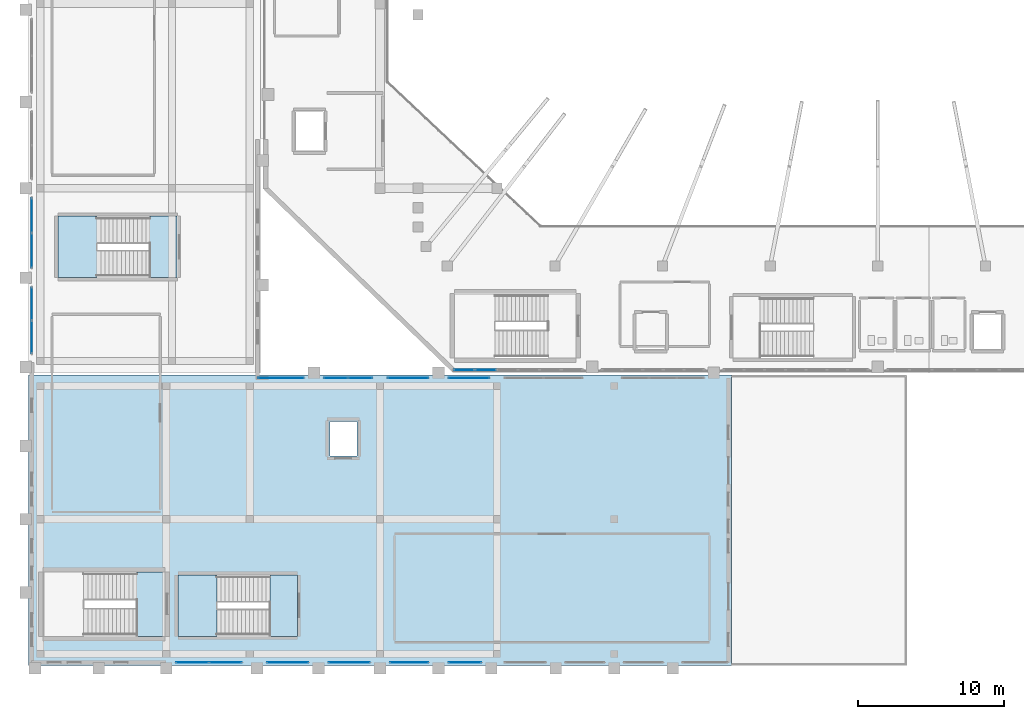
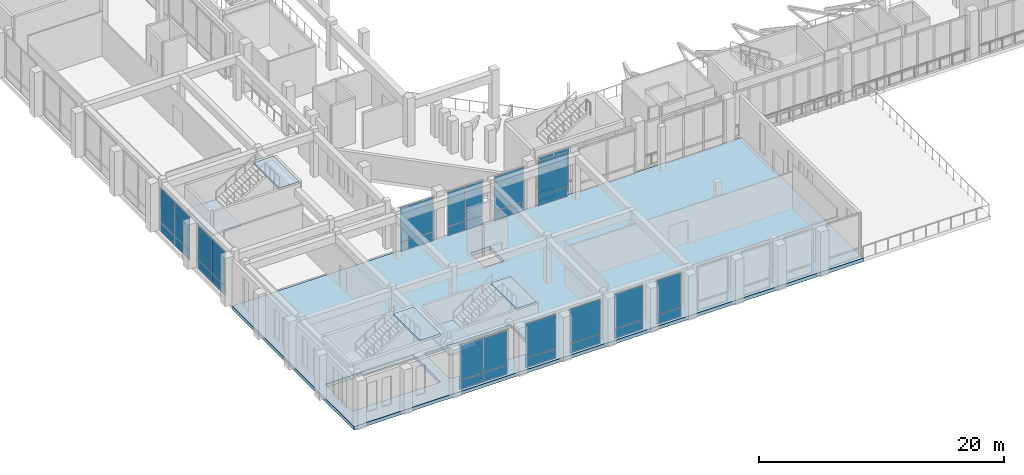
# One storey, part 41 of 79: 34 plates, 6 slabs, 15 elements without a shape of their own.
"""IFC4 building model written with IfcOpenShell, lengths in metres."""

from ifc_helpers import new_model, si_unit, derived_unit, direction, frame, origin, origin_2d, place, context, subcontext, project, spatial, polyline, rectangle, outline, extrude, material, layer, layer_set, type_object, element, aggregate, save


model = new_model("IFC4")

# Units and contexts
model_context = context("Model", 3, precision=1e-05, world=origin(), true_north=direction((0.0, 1.0)))
body_context = subcontext(model_context, "Body", "Model", "MODEL_VIEW")
ifc_project = project(units=[si_unit("LENGTHUNIT", "METRE"), si_unit("AREAUNIT", "SQUARE_METRE"), si_unit("VOLUMEUNIT", "CUBIC_METRE"), si_unit("PLANEANGLEUNIT", "RADIAN"), si_unit("MASSUNIT", "GRAM", prefix="KILO"), derived_unit("THERMALTRANSMITTANCEUNIT", [(si_unit("MASSUNIT", "GRAM", prefix="KILO"), 1), (si_unit("TIMEUNIT", "SECOND"), -3), (si_unit("THERMODYNAMICTEMPERATUREUNIT", "KELVIN"), -1)])], contexts=[model_context])

# Site, building, storey
site_placement = place(None, origin())
site = spatial("IfcSite", under=ifc_project, at=site_placement, CompositionType="ELEMENT")
building_placement = place(site_placement, origin())
building = spatial("IfcBuilding", under=site, at=building_placement, Name="Valcora Ridge Arena", CompositionType="ELEMENT")
storey_placement = place(building_placement, frame((0.0, 0.0, 16.199951171875)))
storey = spatial("IfcBuildingStorey", under=building, at=storey_placement, Name="L03", CompositionType="ELEMENT", Elevation=16.199951171875)

# Stair, slabs
ifc_material_1 = material(Name="Concrete C40/50", Category="concrete")
stair_type_1 = type_object("IfcStairType", Name="TY-STAIR-ES05-48", PredefinedType="HALF_TURN_STAIR", material=ifc_material_1)
stair_1_placement = place(storey_placement, origin())
stair_1 = element("IfcStair", 1, at=stair_1_placement, inside=storey, type_object=stair_type_1, Name="ES05-48 STR-ES-0020", PredefinedType="HALF_TURN_STAIR")
ifc_layer_1 = layer(ifc_material_1, 0.199951171875, Name="Concrete C40/50")
ifc_layer_set_1 = layer_set([ifc_layer_1], Name="Concrete C40/50")
slab_type_1 = type_object("IfcSlabType", Name="TY-LAND-ES05-48", PredefinedType="LANDING", material=ifc_layer_set_1)
slab_1_placement = place(storey_placement, frame((0.0, 0.0, 2.199951171875)))
slab_1 = element("IfcSlab", 2, at=slab_1_placement, type_object=slab_type_1, Name="ES05-48 landing 1", PredefinedType="LANDING", context=body_context, shape_type="SweptSolid", body=[
    extrude(outline(polyline([(10.201904296875, 2.001953125), (12.8798828125, 2.001953125), (12.8798828125, 6.197998046875), (10.201904296875, 6.197998046875), (10.201904296875, 2.001953125)])), origin(), (0.0, 0.0, 1.0), 0.2001953125),
])
slab_2_placement = place(storey_placement, frame((0.0, 0.0, 4.60009765625)))
slab_2 = element("IfcSlab", 3, at=slab_2_placement, type_object=slab_type_1, Name="ES05-48 landing 2", PredefinedType="LANDING", context=body_context, shape_type="SweptSolid", body=[
    extrude(outline(polyline([(16.47998046875, 2.001953125), (18.35791015625, 2.001953125), (18.35791015625, 6.197998046875), (16.47998046875, 6.197998046875), (16.47998046875, 2.001953125)])), origin(), (0.0, 0.0, 1.0), 0.199951171875),
])
aggregate(stair_1, [slab_1, slab_2])

stair_type_2 = type_object("IfcStairType", Name="TY-STAIR-ES07-48", PredefinedType="HALF_TURN_STAIR", material=ifc_material_1)
stair_2_placement = place(storey_placement, origin())
stair_2 = element("IfcStair", 4, at=stair_2_placement, inside=storey, type_object=stair_type_2, Name="ES07-48 STR-ES-0026", PredefinedType="HALF_TURN_STAIR")
ifc_layer_2 = layer(ifc_material_1, 0.199951171875, Name="Concrete C40/50")
ifc_layer_set_2 = layer_set([ifc_layer_2], Name="Concrete C40/50")
slab_type_2 = type_object("IfcSlabType", Name="TY-LAND-ES07-48", PredefinedType="LANDING", material=ifc_layer_set_2)
slab_3_placement = place(storey_placement, frame((0.0, 0.0, 2.199951171875)))
slab_3 = element("IfcSlab", 5, at=slab_3_placement, type_object=slab_type_2, Name="ES07-48 landing 1", PredefinedType="LANDING", context=body_context, shape_type="SweptSolid", body=[
    extrude(outline(polyline([(2.001953125, 26.501953125), (4.679931640625, 26.501953125), (4.679931640625, 30.697998046875), (2.001953125, 30.697998046875), (2.001953125, 26.501953125)])), origin(), (0.0, 0.0, 1.0), 0.2001953125),
])
slab_4_placement = place(storey_placement, frame((0.0, 0.0, 4.60009765625)))
slab_4 = element("IfcSlab", 6, at=slab_4_placement, type_object=slab_type_2, Name="ES07-48 landing 2", PredefinedType="LANDING", context=body_context, shape_type="SweptSolid", body=[
    extrude(outline(polyline([(8.280029296875, 26.501953125), (10.157958984375, 26.501953125), (10.157958984375, 30.697998046875), (8.280029296875, 30.697998046875), (8.280029296875, 26.501953125)])), origin(), (0.0, 0.0, 1.0), 0.199951171875),
])
aggregate(stair_2, [slab_3, slab_4])

# Stair, slab
stair_type_3 = type_object("IfcStairType", Name="TY-STAIR-ST07-48", PredefinedType="HALF_TURN_STAIR", material=ifc_material_1)
stair_3_placement = place(storey_placement, origin())
stair_3 = element("IfcStair", 7, at=stair_3_placement, inside=storey, type_object=stair_type_3, Name="ST07-48 STR-CR-0034", PredefinedType="HALF_TURN_STAIR")
ifc_layer_3 = layer(ifc_material_1, 0.199951171875, Name="Concrete C40/50")
ifc_layer_set_3 = layer_set([ifc_layer_3], Name="Concrete C40/50")
slab_type_3 = type_object("IfcSlabType", Name="TY-LAND-ST07-48", PredefinedType="LANDING", material=ifc_layer_set_3)
slab_5_placement = place(storey_placement, frame((0.0, 0.0, 4.60009765625)))
slab_5 = element("IfcSlab", 8, at=slab_5_placement, type_object=slab_type_3, Name="ST07-48 landing 2", PredefinedType="LANDING", context=body_context, shape_type="SweptSolid", body=[
    extrude(outline(polyline([(7.389892578125, 2.001953125), (9.318115234375, 2.001953125), (9.318115234375, 6.39794921875), (7.389892578125, 6.39794921875), (7.389892578125, 2.001953125)])), origin(), (0.0, 0.0, 1.0), 0.199951171875),
])
aggregate(stair_3, [slab_5])

# Curtain wall, plates
ifc_material_2 = material(Name="Anodised dark bronze architectural aluminium 6063-T6", Category="aluminium")
ifc_layer_4 = layer(ifc_material_2, 0.179931640625, Name="Anodised dark bronze architectural aluminium 6063-T6")
ifc_layer_set_4 = layer_set([ifc_layer_4], Name="Anodised dark bronze architectural aluminium 6063-T6")
curtain_wall_type_1 = type_object("IfcCurtainWallType", Name="TY-CURTAINWALL-CW-V1-GOTH-089X44", PredefinedType="NOTDEFINED", material=ifc_layer_set_4)
curtain_wall_1_placement = place(storey_placement, origin())
curtain_wall_1 = element("IfcCurtainWall", 9, at=curtain_wall_1_placement, inside=storey, type_object=curtain_wall_type_1, Name="CW-V1-GOTH-089X44 CW-0136", PredefinedType="NOTDEFINED")
ifc_material_3 = material(Name="Low-iron solar-control double glazing SHGC 0.28", Category="glass")
ifc_layer_5 = layer(ifc_material_3, 0.031982421875, Name="Low-iron solar-control double glazing SHGC 0.28")
ifc_layer_set_5 = layer_set([ifc_layer_5], Name="Low-iron solar-control double glazing SHGC 0.28")
plate_type_1 = type_object("IfcPlateType", Name="TY-PLT-CWP-1387X0860", PredefinedType="CURTAIN_PANEL", material=ifc_layer_set_5)
plate_1_placement = place(storey_placement, frame((29.75341796875, 20.199951171875, 0.06005859375), z_axis=(0.0, 0.0, 1.0), x_axis=(1.0, 0.0, 0.0)))
plate_1 = element("IfcPlate", 10, at=plate_1_placement, type_object=plate_type_1, Name="CW-0136/P00-00", PredefinedType="CURTAIN_PANEL", context=body_context, shape_type="SweptSolid", body=[
    extrude(rectangle(XDim=1.386962890625, YDim=0.031982421875, at=origin_2d()), origin(), (0.0, 0.0, 1.0), 0.860107421875),
])
ifc_layer_6 = layer(ifc_material_3, 0.031982421875, Name="Low-iron solar-control double glazing SHGC 0.28")
ifc_layer_set_6 = layer_set([ifc_layer_6], Name="Low-iron solar-control double glazing SHGC 0.28")
plate_type_2 = type_object("IfcPlateType", Name="TY-PLT-CWP-1387X3400", PredefinedType="CURTAIN_PANEL", material=ifc_layer_set_6)
plate_2_placement = place(storey_placement, frame((29.75341796875, 20.199951171875, 0.97998046875), z_axis=(0.0, 0.0, 1.0), x_axis=(1.0, 0.0, 0.0)))
plate_2 = element("IfcPlate", 11, at=plate_2_placement, type_object=plate_type_2, Name="CW-0136/P00-01", PredefinedType="CURTAIN_PANEL", context=body_context, shape_type="SweptSolid", body=[
    extrude(rectangle(XDim=1.386962890625, YDim=0.031982421875, at=origin_2d()), origin(), (0.0, 0.0, 1.0), 3.39990234375),
])
ifc_layer_7 = layer(ifc_material_3, 0.031982421875, Name="Low-iron solar-control double glazing SHGC 0.28")
ifc_layer_set_7 = layer_set([ifc_layer_7], Name="Low-iron solar-control double glazing SHGC 0.28")
plate_type_3 = type_object("IfcPlateType", Name="TY-PLT-CWP-1416X0860", PredefinedType="CURTAIN_PANEL", material=ifc_layer_set_7)
plate_3_placement = place(storey_placement, frame((31.215087890625, 20.199951171875, 0.06005859375), z_axis=(0.0, 0.0, 1.0), x_axis=(1.0, 0.0, 0.0)))
plate_3 = element("IfcPlate", 12, at=plate_3_placement, type_object=plate_type_3, Name="CW-0136/P01-00", PredefinedType="CURTAIN_PANEL", context=body_context, shape_type="SweptSolid", body=[
    extrude(rectangle(XDim=1.416015625, YDim=0.031982421875, at=origin_2d()), origin(), (0.0, 0.0, 1.0), 0.860107421875),
])
ifc_layer_8 = layer(ifc_material_3, 0.031982421875, Name="Low-iron solar-control double glazing SHGC 0.28")
ifc_layer_set_8 = layer_set([ifc_layer_8], Name="Low-iron solar-control double glazing SHGC 0.28")
plate_type_4 = type_object("IfcPlateType", Name="TY-PLT-CWP-1416X3400", PredefinedType="CURTAIN_PANEL", material=ifc_layer_set_8)
plate_4_placement = place(storey_placement, frame((31.215087890625, 20.199951171875, 0.97998046875), z_axis=(0.0, 0.0, 1.0), x_axis=(1.0, 0.0, 0.0)))
plate_4 = element("IfcPlate", 13, at=plate_4_placement, type_object=plate_type_4, Name="CW-0136/P01-01", PredefinedType="CURTAIN_PANEL", context=body_context, shape_type="SweptSolid", body=[
    extrude(rectangle(XDim=1.416015625, YDim=0.031982421875, at=origin_2d()), origin(), (0.0, 0.0, 1.0), 3.39990234375),
])
aggregate(curtain_wall_1, [plate_1, plate_2, plate_3, plate_4])

ifc_layer_9 = layer(ifc_material_2, 0.14990234375, Name="Anodised dark bronze architectural aluminium 6063-T6")
ifc_layer_set_9 = layer_set([ifc_layer_9], Name="Anodised dark bronze architectural aluminium 6063-T6")
curtain_wall_type_2 = type_object("IfcCurtainWallType", Name="TY-CURTAINWALL-CW-V4-CLUB-034X44", PredefinedType="NOTDEFINED", material=ifc_layer_set_9)
curtain_wall_2_placement = place(storey_placement, origin())
curtain_wall_2 = element("IfcCurtainWall", 14, at=curtain_wall_2_placement, inside=storey, type_object=curtain_wall_type_2, Name="CW-V4-CLUB-034X44 CW-0280", PredefinedType="NOTDEFINED")
ifc_layer_10 = layer(ifc_material_3, 0.028076171875, Name="Low-iron solar-control double glazing SHGC 0.28")
ifc_layer_set_10 = layer_set([ifc_layer_10], Name="Low-iron solar-control double glazing SHGC 0.28")
plate_type_5 = type_object("IfcPlateType", Name="TY-PLT-CWP-1610X0875", PredefinedType="CURTAIN_PANEL", material=ifc_layer_set_10)
plate_5_placement = place(storey_placement, frame((20.9951171875, 19.64990234375, 0.050048828125), z_axis=(0.0, 0.0, 1.0), x_axis=(1.0, 0.0, 0.0)))
plate_5 = element("IfcPlate", 15, at=plate_5_placement, type_object=plate_type_5, Name="CW-0280/P00-00", PredefinedType="CURTAIN_PANEL", context=body_context, shape_type="SweptSolid", body=[
    extrude(rectangle(XDim=1.610107421875, YDim=0.028076171875, at=origin_2d()), origin(), (0.0, 0.0, 1.0), 0.875),
])
plate_6_placement = place(storey_placement, frame((22.655029296875, 19.64990234375, 0.050048828125), z_axis=(0.0, 0.0, 1.0), x_axis=(1.0, 0.0, 0.0)))
plate_6 = element("IfcPlate", 16, at=plate_6_placement, type_object=plate_type_5, Name="CW-0280/P01-00", PredefinedType="CURTAIN_PANEL", context=body_context, shape_type="SweptSolid", body=[
    extrude(rectangle(XDim=1.610107421875, YDim=0.028076171875, at=origin_2d()), origin(), (0.0, 0.0, 1.0), 0.875),
])
ifc_layer_11 = layer(ifc_material_3, 0.028076171875, Name="Low-iron solar-control double glazing SHGC 0.28")
ifc_layer_set_11 = layer_set([ifc_layer_11], Name="Low-iron solar-control double glazing SHGC 0.28")
plate_type_6 = type_object("IfcPlateType", Name="TY-PLT-CWP-1610X3415", PredefinedType="CURTAIN_PANEL", material=ifc_layer_set_11)
plate_7_placement = place(storey_placement, frame((20.9951171875, 19.64990234375, 0.97509765625), z_axis=(0.0, 0.0, 1.0), x_axis=(1.0, 0.0, 0.0)))
plate_7 = element("IfcPlate", 17, at=plate_7_placement, type_object=plate_type_6, Name="CW-0280/P00-01", PredefinedType="CURTAIN_PANEL", context=body_context, shape_type="SweptSolid", body=[
    extrude(rectangle(XDim=1.610107421875, YDim=0.028076171875, at=origin_2d()), origin(), (0.0, 0.0, 1.0), 3.4150390625),
])
plate_8_placement = place(storey_placement, frame((22.655029296875, 19.64990234375, 0.97509765625), z_axis=(0.0, 0.0, 1.0), x_axis=(1.0, 0.0, 0.0)))
plate_8 = element("IfcPlate", 18, at=plate_8_placement, type_object=plate_type_6, Name="CW-0280/P01-01", PredefinedType="CURTAIN_PANEL", context=body_context, shape_type="SweptSolid", body=[
    extrude(rectangle(XDim=1.610107421875, YDim=0.028076171875, at=origin_2d()), origin(), (0.0, 0.0, 1.0), 3.4150390625),
])
aggregate(curtain_wall_2, [plate_5, plate_7, plate_6, plate_8])

ifc_layer_12 = layer(ifc_material_2, 0.14990234375, Name="Anodised dark bronze architectural aluminium 6063-T6")
ifc_layer_set_12 = layer_set([ifc_layer_12], Name="Anodised dark bronze architectural aluminium 6063-T6")
curtain_wall_type_3 = type_object("IfcCurtainWallType", Name="TY-CURTAINWALL-CW-V4-CLUB-046X44", PredefinedType="NOTDEFINED", material=ifc_layer_set_12)
curtain_wall_3_placement = place(storey_placement, origin())
curtain_wall_3 = element("IfcCurtainWall", 19, at=curtain_wall_3_placement, inside=storey, type_object=curtain_wall_type_3, Name="CW-V4-CLUB-046X44 CW-0270", PredefinedType="NOTDEFINED")
ifc_layer_13 = layer(ifc_material_3, 0.028076171875, Name="Low-iron solar-control double glazing SHGC 0.28")
ifc_layer_set_13 = layer_set([ifc_layer_13], Name="Low-iron solar-control double glazing SHGC 0.28")
plate_type_7 = type_object("IfcPlateType", Name="TY-PLT-CWP-2210X0875", PredefinedType="CURTAIN_PANEL", material=ifc_layer_set_13)
plate_9_placement = place(storey_placement, frame((11.195068359375, 0.219970703125, 0.050048828125), z_axis=(0.0, 0.0, 1.0), x_axis=(1.0, 0.0, 0.0)))
plate_9 = element("IfcPlate", 20, at=plate_9_placement, type_object=plate_type_7, Name="CW-0270/P00-00", PredefinedType="CURTAIN_PANEL", context=body_context, shape_type="SweptSolid", body=[
    extrude(rectangle(XDim=2.2099609375, YDim=0.028076171875, at=origin_2d()), origin(), (0.0, 0.0, 1.0), 0.875),
])
plate_10_placement = place(storey_placement, frame((13.455078125, 0.219970703125, 0.050048828125), z_axis=(0.0, 0.0, 1.0), x_axis=(1.0, 0.0, 0.0)))
plate_10 = element("IfcPlate", 21, at=plate_10_placement, type_object=plate_type_7, Name="CW-0270/P01-00", PredefinedType="CURTAIN_PANEL", context=body_context, shape_type="SweptSolid", body=[
    extrude(rectangle(XDim=2.2099609375, YDim=0.028076171875, at=origin_2d()), origin(), (0.0, 0.0, 1.0), 0.875),
])

curtain_wall_4_placement = place(storey_placement, origin())
curtain_wall_4 = element("IfcCurtainWall", 22, at=curtain_wall_4_placement, inside=storey, type_object=curtain_wall_type_3, Name="CW-V4-CLUB-046X44 CW-0285", PredefinedType="NOTDEFINED")
plate_11_placement = place(storey_placement, frame((0.219970703125, 22.445068359375, 0.050048828125), z_axis=(0.0, 0.0, 1.0), x_axis=(0.0, 1.0, 0.0)))
plate_11 = element("IfcPlate", 23, at=plate_11_placement, type_object=plate_type_7, Name="CW-0285/P00-00", PredefinedType="CURTAIN_PANEL", context=body_context, shape_type="SweptSolid", body=[
    extrude(rectangle(XDim=2.2099609375, YDim=0.028076171875, at=origin_2d()), origin(), (0.0, 0.0, 1.0), 0.875),
])
plate_12_placement = place(storey_placement, frame((0.219970703125, 24.705078125, 0.050048828125), z_axis=(0.0, 0.0, 1.0), x_axis=(0.0, 1.0, 0.0)))
plate_12 = element("IfcPlate", 24, at=plate_12_placement, type_object=plate_type_7, Name="CW-0285/P01-00", PredefinedType="CURTAIN_PANEL", context=body_context, shape_type="SweptSolid", body=[
    extrude(rectangle(XDim=2.2099609375, YDim=0.028076171875, at=origin_2d()), origin(), (0.0, 0.0, 1.0), 0.875),
])

# Plate
ifc_layer_14 = layer(ifc_material_3, 0.028076171875, Name="Low-iron solar-control double glazing SHGC 0.28")
ifc_layer_set_14 = layer_set([ifc_layer_14], Name="Low-iron solar-control double glazing SHGC 0.28")
plate_type_8 = type_object("IfcPlateType", Name="TY-PLT-CWP-2210X3415", PredefinedType="CURTAIN_PANEL", material=ifc_layer_set_14)
plate_13_placement = place(storey_placement, frame((11.195068359375, 0.219970703125, 0.97509765625), z_axis=(0.0, 0.0, 1.0), x_axis=(1.0, 0.0, 0.0)))
plate_13 = element("IfcPlate", 25, at=plate_13_placement, type_object=plate_type_8, Name="CW-0270/P00-01", PredefinedType="CURTAIN_PANEL", context=body_context, shape_type="SweptSolid", body=[
    extrude(rectangle(XDim=2.2099609375, YDim=0.028076171875, at=origin_2d()), origin(), (0.0, 0.0, 1.0), 3.4150390625),
])

plate_14_placement = place(storey_placement, frame((13.455078125, 0.219970703125, 0.97509765625), z_axis=(0.0, 0.0, 1.0), x_axis=(1.0, 0.0, 0.0)))
plate_14 = element("IfcPlate", 26, at=plate_14_placement, type_object=plate_type_8, Name="CW-0270/P01-01", PredefinedType="CURTAIN_PANEL", context=body_context, shape_type="SweptSolid", body=[
    extrude(rectangle(XDim=2.2099609375, YDim=0.028076171875, at=origin_2d()), origin(), (0.0, 0.0, 1.0), 3.4150390625),
])

aggregate(curtain_wall_3, [plate_9, plate_13, plate_10, plate_14])

plate_15_placement = place(storey_placement, frame((0.219970703125, 22.445068359375, 0.97509765625), z_axis=(0.0, 0.0, 1.0), x_axis=(0.0, 1.0, 0.0)))
plate_15 = element("IfcPlate", 27, at=plate_15_placement, type_object=plate_type_8, Name="CW-0285/P00-01", PredefinedType="CURTAIN_PANEL", context=body_context, shape_type="SweptSolid", body=[
    extrude(rectangle(XDim=2.2099609375, YDim=0.028076171875, at=origin_2d()), origin(), (0.0, 0.0, 1.0), 3.4150390625),
])

plate_16_placement = place(storey_placement, frame((0.219970703125, 24.705078125, 0.97509765625), z_axis=(0.0, 0.0, 1.0), x_axis=(0.0, 1.0, 0.0)))
plate_16 = element("IfcPlate", 28, at=plate_16_placement, type_object=plate_type_8, Name="CW-0285/P01-01", PredefinedType="CURTAIN_PANEL", context=body_context, shape_type="SweptSolid", body=[
    extrude(rectangle(XDim=2.2099609375, YDim=0.028076171875, at=origin_2d()), origin(), (0.0, 0.0, 1.0), 3.4150390625),
])

aggregate(curtain_wall_4, [plate_11, plate_15, plate_12, plate_16])

# Curtain wall, plates
ifc_layer_15 = layer(ifc_material_2, 0.14990234375, Name="Anodised dark bronze architectural aluminium 6063-T6")
ifc_layer_set_15 = layer_set([ifc_layer_15], Name="Anodised dark bronze architectural aluminium 6063-T6")
curtain_wall_type_4 = type_object("IfcCurtainWallType", Name="TY-CURTAINWALL-CW-V4-CLUB-023X44", PredefinedType="NOTDEFINED", material=ifc_layer_set_15)
curtain_wall_5_placement = place(storey_placement, origin())
curtain_wall_5 = element("IfcCurtainWall", 29, at=curtain_wall_5_placement, inside=storey, type_object=curtain_wall_type_4, Name="CW-V4-CLUB-023X44 CW-0274", PredefinedType="NOTDEFINED")
ifc_layer_16 = layer(ifc_material_3, 0.028076171875, Name="Low-iron solar-control double glazing SHGC 0.28")
ifc_layer_set_16 = layer_set([ifc_layer_16], Name="Low-iron solar-control double glazing SHGC 0.28")
plate_type_9 = type_object("IfcPlateType", Name="TY-PLT-CWP-2220X0875", PredefinedType="CURTAIN_PANEL", material=ifc_layer_set_16)
plate_17_placement = place(storey_placement, frame((29.800048828125, 0.219970703125, 0.050048828125), z_axis=(0.0, 0.0, 1.0), x_axis=(1.0, 0.0, 0.0)))
plate_17 = element("IfcPlate", 30, at=plate_17_placement, type_object=plate_type_9, Name="CW-0274/P00-00", PredefinedType="CURTAIN_PANEL", context=body_context, shape_type="SweptSolid", body=[
    extrude(rectangle(XDim=2.219970703125, YDim=0.028076171875, at=origin_2d()), origin(), (0.0, 0.0, 1.0), 0.875),
])
ifc_layer_17 = layer(ifc_material_3, 0.028076171875, Name="Low-iron solar-control double glazing SHGC 0.28")
ifc_layer_set_17 = layer_set([ifc_layer_17], Name="Low-iron solar-control double glazing SHGC 0.28")
plate_type_10 = type_object("IfcPlateType", Name="TY-PLT-CWP-2220X3415", PredefinedType="CURTAIN_PANEL", material=ifc_layer_set_17)
plate_18_placement = place(storey_placement, frame((29.800048828125, 0.219970703125, 0.97509765625), z_axis=(0.0, 0.0, 1.0), x_axis=(1.0, 0.0, 0.0)))
plate_18 = element("IfcPlate", 31, at=plate_18_placement, type_object=plate_type_10, Name="CW-0274/P00-01", PredefinedType="CURTAIN_PANEL", context=body_context, shape_type="SweptSolid", body=[
    extrude(rectangle(XDim=2.219970703125, YDim=0.028076171875, at=origin_2d()), origin(), (0.0, 0.0, 1.0), 3.4150390625),
])
aggregate(curtain_wall_5, [plate_17, plate_18])

ifc_layer_18 = layer(ifc_material_2, 0.14990234375, Name="Anodised dark bronze architectural aluminium 6063-T6")
ifc_layer_set_18 = layer_set([ifc_layer_18], Name="Anodised dark bronze architectural aluminium 6063-T6")
curtain_wall_type_5 = type_object("IfcCurtainWallType", Name="TY-CURTAINWALL-CW-V4-CLUB-048X44", PredefinedType="NOTDEFINED", material=ifc_layer_set_18)
curtain_wall_6_placement = place(storey_placement, origin())
curtain_wall_6 = element("IfcCurtainWall", 32, at=curtain_wall_6_placement, inside=storey, type_object=curtain_wall_type_5, Name="CW-V4-CLUB-048X44 CW-0286", PredefinedType="NOTDEFINED")
ifc_layer_19 = layer(ifc_material_3, 0.028076171875, Name="Low-iron solar-control double glazing SHGC 0.28")
ifc_layer_set_19 = layer_set([ifc_layer_19], Name="Low-iron solar-control double glazing SHGC 0.28")
plate_type_11 = type_object("IfcPlateType", Name="TY-PLT-CWP-2335X0875", PredefinedType="CURTAIN_PANEL", material=ifc_layer_set_19)
plate_19_placement = place(storey_placement, frame((0.219970703125, 28.357421875, 0.050048828125), z_axis=(0.0, 0.0, 1.0), x_axis=(0.0, 1.0, 0.0)))
plate_19 = element("IfcPlate", 33, at=plate_19_placement, type_object=plate_type_11, Name="CW-0286/P00-00", PredefinedType="CURTAIN_PANEL", context=body_context, shape_type="SweptSolid", body=[
    extrude(rectangle(XDim=2.3349609375, YDim=0.028076171875, at=origin_2d()), origin(), (0.0, 0.0, 1.0), 0.875),
])
plate_20_placement = place(storey_placement, frame((0.219970703125, 30.742431640625, 0.050048828125), z_axis=(0.0, 0.0, 1.0), x_axis=(0.0, 1.0, 0.0)))
plate_20 = element("IfcPlate", 34, at=plate_20_placement, type_object=plate_type_11, Name="CW-0286/P01-00", PredefinedType="CURTAIN_PANEL", context=body_context, shape_type="SweptSolid", body=[
    extrude(rectangle(XDim=2.3349609375, YDim=0.028076171875, at=origin_2d()), origin(), (0.0, 0.0, 1.0), 0.875),
])
ifc_layer_20 = layer(ifc_material_3, 0.028076171875, Name="Low-iron solar-control double glazing SHGC 0.28")
ifc_layer_set_20 = layer_set([ifc_layer_20], Name="Low-iron solar-control double glazing SHGC 0.28")
plate_type_12 = type_object("IfcPlateType", Name="TY-PLT-CWP-2335X3415", PredefinedType="CURTAIN_PANEL", material=ifc_layer_set_20)
plate_21_placement = place(storey_placement, frame((0.219970703125, 28.357421875, 0.97509765625), z_axis=(0.0, 0.0, 1.0), x_axis=(0.0, 1.0, 0.0)))
plate_21 = element("IfcPlate", 35, at=plate_21_placement, type_object=plate_type_12, Name="CW-0286/P00-01", PredefinedType="CURTAIN_PANEL", context=body_context, shape_type="SweptSolid", body=[
    extrude(rectangle(XDim=2.3349609375, YDim=0.028076171875, at=origin_2d()), origin(), (0.0, 0.0, 1.0), 3.4150390625),
])
plate_22_placement = place(storey_placement, frame((0.219970703125, 30.742431640625, 0.97509765625), z_axis=(0.0, 0.0, 1.0), x_axis=(0.0, 1.0, 0.0)))
plate_22 = element("IfcPlate", 36, at=plate_22_placement, type_object=plate_type_12, Name="CW-0286/P01-01", PredefinedType="CURTAIN_PANEL", context=body_context, shape_type="SweptSolid", body=[
    extrude(rectangle(XDim=2.3349609375, YDim=0.028076171875, at=origin_2d()), origin(), (0.0, 0.0, 1.0), 3.4150390625),
])
aggregate(curtain_wall_6, [plate_19, plate_21, plate_20, plate_22])

ifc_layer_21 = layer(ifc_material_2, 0.14990234375, Name="Anodised dark bronze architectural aluminium 6063-T6")
ifc_layer_set_21 = layer_set([ifc_layer_21], Name="Anodised dark bronze architectural aluminium 6063-T6")
curtain_wall_type_6 = type_object("IfcCurtainWallType", Name="TY-CURTAINWALL-CW-V4-CLUB-027X44", PredefinedType="NOTDEFINED", material=ifc_layer_set_21)
curtain_wall_7_placement = place(storey_placement, origin())
curtain_wall_7 = element("IfcCurtainWall", 37, at=curtain_wall_7_placement, inside=storey, type_object=curtain_wall_type_6, Name="CW-V4-CLUB-027X44 CW-0273", PredefinedType="NOTDEFINED")
ifc_layer_22 = layer(ifc_material_3, 0.028076171875, Name="Low-iron solar-control double glazing SHGC 0.28")
ifc_layer_set_22 = layer_set([ifc_layer_22], Name="Low-iron solar-control double glazing SHGC 0.28")
plate_type_13 = type_object("IfcPlateType", Name="TY-PLT-CWP-2620X0875", PredefinedType="CURTAIN_PANEL", material=ifc_layer_set_22)
plate_23_placement = place(storey_placement, frame((26.0, 0.219970703125, 0.050048828125), z_axis=(0.0, 0.0, 1.0), x_axis=(1.0, 0.0, 0.0)))
plate_23 = element("IfcPlate", 38, at=plate_23_placement, type_object=plate_type_13, Name="CW-0273/P00-00", PredefinedType="CURTAIN_PANEL", context=body_context, shape_type="SweptSolid", body=[
    extrude(rectangle(XDim=2.6201171875, YDim=0.028076171875, at=origin_2d()), origin(), (0.0, 0.0, 1.0), 0.875),
])
ifc_layer_23 = layer(ifc_material_3, 0.028076171875, Name="Low-iron solar-control double glazing SHGC 0.28")
ifc_layer_set_23 = layer_set([ifc_layer_23], Name="Low-iron solar-control double glazing SHGC 0.28")
plate_type_14 = type_object("IfcPlateType", Name="TY-PLT-CWP-2620X3415", PredefinedType="CURTAIN_PANEL", material=ifc_layer_set_23)
plate_24_placement = place(storey_placement, frame((26.0, 0.219970703125, 0.97509765625), z_axis=(0.0, 0.0, 1.0), x_axis=(1.0, 0.0, 0.0)))
plate_24 = element("IfcPlate", 39, at=plate_24_placement, type_object=plate_type_14, Name="CW-0273/P00-01", PredefinedType="CURTAIN_PANEL", context=body_context, shape_type="SweptSolid", body=[
    extrude(rectangle(XDim=2.6201171875, YDim=0.028076171875, at=origin_2d()), origin(), (0.0, 0.0, 1.0), 3.4150390625),
])
aggregate(curtain_wall_7, [plate_23, plate_24])

# Curtain wall, plate
ifc_layer_24 = layer(ifc_material_2, 0.14990234375, Name="Anodised dark bronze architectural aluminium 6063-T6")
ifc_layer_set_24 = layer_set([ifc_layer_24], Name="Anodised dark bronze architectural aluminium 6063-T6")
curtain_wall_type_7 = type_object("IfcCurtainWallType", Name="TY-CURTAINWALL-CW-V4-CLUB-029X44", PredefinedType="NOTDEFINED", material=ifc_layer_set_24)
curtain_wall_8_placement = place(storey_placement, origin())
curtain_wall_8 = element("IfcCurtainWall", 40, at=curtain_wall_8_placement, inside=storey, type_object=curtain_wall_type_7, Name="CW-V4-CLUB-029X44 CW-0281", PredefinedType="NOTDEFINED")
ifc_layer_25 = layer(ifc_material_3, 0.028076171875, Name="Low-iron solar-control double glazing SHGC 0.28")
ifc_layer_set_25 = layer_set([ifc_layer_25], Name="Low-iron solar-control double glazing SHGC 0.28")
plate_type_15 = type_object("IfcPlateType", Name="TY-PLT-CWP-2770X0875", PredefinedType="CURTAIN_PANEL", material=ifc_layer_set_25)
plate_25_placement = place(storey_placement, frame((25.925048828125, 19.64990234375, 0.050048828125), z_axis=(0.0, 0.0, 1.0), x_axis=(1.0, 0.0, 0.0)))
plate_25 = element("IfcPlate", 41, at=plate_25_placement, type_object=plate_type_15, Name="CW-0281/P00-00", PredefinedType="CURTAIN_PANEL", context=body_context, shape_type="SweptSolid", body=[
    extrude(rectangle(XDim=2.77001953125, YDim=0.028076171875, at=origin_2d()), origin(), (0.0, 0.0, 1.0), 0.875),
])

curtain_wall_9_placement = place(storey_placement, origin())
curtain_wall_9 = element("IfcCurtainWall", 42, at=curtain_wall_9_placement, inside=storey, type_object=curtain_wall_type_7, Name="CW-V4-CLUB-029X44 CW-0282", PredefinedType="NOTDEFINED")
plate_26_placement = place(storey_placement, frame((30.074951171875, 19.64990234375, 0.050048828125), z_axis=(0.0, 0.0, 1.0), x_axis=(1.0, 0.0, 0.0)))
plate_26 = element("IfcPlate", 43, at=plate_26_placement, type_object=plate_type_15, Name="CW-0282/P00-00", PredefinedType="CURTAIN_PANEL", context=body_context, shape_type="SweptSolid", body=[
    extrude(rectangle(XDim=2.77001953125, YDim=0.028076171875, at=origin_2d()), origin(), (0.0, 0.0, 1.0), 0.875),
])

# Plate
ifc_layer_26 = layer(ifc_material_3, 0.028076171875, Name="Low-iron solar-control double glazing SHGC 0.28")
ifc_layer_set_26 = layer_set([ifc_layer_26], Name="Low-iron solar-control double glazing SHGC 0.28")
plate_type_16 = type_object("IfcPlateType", Name="TY-PLT-CWP-2770X3415", PredefinedType="CURTAIN_PANEL", material=ifc_layer_set_26)
plate_27_placement = place(storey_placement, frame((25.925048828125, 19.64990234375, 0.97509765625), z_axis=(0.0, 0.0, 1.0), x_axis=(1.0, 0.0, 0.0)))
plate_27 = element("IfcPlate", 44, at=plate_27_placement, type_object=plate_type_16, Name="CW-0281/P00-01", PredefinedType="CURTAIN_PANEL", context=body_context, shape_type="SweptSolid", body=[
    extrude(rectangle(XDim=2.77001953125, YDim=0.028076171875, at=origin_2d()), origin(), (0.0, 0.0, 1.0), 3.4150390625),
])

aggregate(curtain_wall_8, [plate_25, plate_27])

plate_28_placement = place(storey_placement, frame((30.074951171875, 19.64990234375, 0.97509765625), z_axis=(0.0, 0.0, 1.0), x_axis=(1.0, 0.0, 0.0)))
plate_28 = element("IfcPlate", 45, at=plate_28_placement, type_object=plate_type_16, Name="CW-0282/P00-01", PredefinedType="CURTAIN_PANEL", context=body_context, shape_type="SweptSolid", body=[
    extrude(rectangle(XDim=2.77001953125, YDim=0.028076171875, at=origin_2d()), origin(), (0.0, 0.0, 1.0), 3.4150390625),
])

aggregate(curtain_wall_9, [plate_26, plate_28])

# Curtain wall, plate
curtain_wall_10_placement = place(storey_placement, origin())
curtain_wall_10 = element("IfcCurtainWall", 46, at=curtain_wall_10_placement, inside=storey, type_object=curtain_wall_type_7, Name="CW-V4-CLUB-029X44 CW-0271", PredefinedType="NOTDEFINED")
ifc_layer_27 = layer(ifc_material_3, 0.028076171875, Name="Low-iron solar-control double glazing SHGC 0.28")
ifc_layer_set_27 = layer_set([ifc_layer_27], Name="Low-iron solar-control double glazing SHGC 0.28")
plate_type_17 = type_object("IfcPlateType", Name="TY-PLT-CWP-2820X0875", PredefinedType="CURTAIN_PANEL", material=ifc_layer_set_27)
plate_29_placement = place(storey_placement, frame((17.699951171875, 0.219970703125, 0.050048828125), z_axis=(0.0, 0.0, 1.0), x_axis=(1.0, 0.0, 0.0)))
plate_29 = element("IfcPlate", 47, at=plate_29_placement, type_object=plate_type_17, Name="CW-0271/P00-00", PredefinedType="CURTAIN_PANEL", context=body_context, shape_type="SweptSolid", body=[
    extrude(rectangle(XDim=2.820068359375, YDim=0.028076171875, at=origin_2d()), origin(), (0.0, 0.0, 1.0), 0.875),
])

curtain_wall_11_placement = place(storey_placement, origin())
curtain_wall_11 = element("IfcCurtainWall", 48, at=curtain_wall_11_placement, inside=storey, type_object=curtain_wall_type_7, Name="CW-V4-CLUB-029X44 CW-0272", PredefinedType="NOTDEFINED")
plate_30_placement = place(storey_placement, frame((21.89990234375, 0.219970703125, 0.050048828125), z_axis=(0.0, 0.0, 1.0), x_axis=(1.0, 0.0, 0.0)))
plate_30 = element("IfcPlate", 49, at=plate_30_placement, type_object=plate_type_17, Name="CW-0272/P00-00", PredefinedType="CURTAIN_PANEL", context=body_context, shape_type="SweptSolid", body=[
    extrude(rectangle(XDim=2.820068359375, YDim=0.028076171875, at=origin_2d()), origin(), (0.0, 0.0, 1.0), 0.875),
])

# Plate
ifc_layer_28 = layer(ifc_material_3, 0.028076171875, Name="Low-iron solar-control double glazing SHGC 0.28")
ifc_layer_set_28 = layer_set([ifc_layer_28], Name="Low-iron solar-control double glazing SHGC 0.28")
plate_type_18 = type_object("IfcPlateType", Name="TY-PLT-CWP-2820X3415", PredefinedType="CURTAIN_PANEL", material=ifc_layer_set_28)
plate_31_placement = place(storey_placement, frame((17.699951171875, 0.219970703125, 0.97509765625), z_axis=(0.0, 0.0, 1.0), x_axis=(1.0, 0.0, 0.0)))
plate_31 = element("IfcPlate", 50, at=plate_31_placement, type_object=plate_type_18, Name="CW-0271/P00-01", PredefinedType="CURTAIN_PANEL", context=body_context, shape_type="SweptSolid", body=[
    extrude(rectangle(XDim=2.820068359375, YDim=0.028076171875, at=origin_2d()), origin(), (0.0, 0.0, 1.0), 3.4150390625),
])

aggregate(curtain_wall_10, [plate_29, plate_31])

plate_32_placement = place(storey_placement, frame((21.89990234375, 0.219970703125, 0.97509765625), z_axis=(0.0, 0.0, 1.0), x_axis=(1.0, 0.0, 0.0)))
plate_32 = element("IfcPlate", 51, at=plate_32_placement, type_object=plate_type_18, Name="CW-0272/P00-01", PredefinedType="CURTAIN_PANEL", context=body_context, shape_type="SweptSolid", body=[
    extrude(rectangle(XDim=2.820068359375, YDim=0.028076171875, at=origin_2d()), origin(), (0.0, 0.0, 1.0), 3.4150390625),
])

aggregate(curtain_wall_11, [plate_30, plate_32])

# Curtain wall, plates
ifc_layer_29 = layer(ifc_material_2, 0.14990234375, Name="Anodised dark bronze architectural aluminium 6063-T6")
ifc_layer_set_29 = layer_set([ifc_layer_29], Name="Anodised dark bronze architectural aluminium 6063-T6")
curtain_wall_type_8 = type_object("IfcCurtainWallType", Name="TY-CURTAINWALL-CW-V4-CLUB-032X44", PredefinedType="NOTDEFINED", material=ifc_layer_set_29)
curtain_wall_12_placement = place(storey_placement, origin())
curtain_wall_12 = element("IfcCurtainWall", 52, at=curtain_wall_12_placement, inside=storey, type_object=curtain_wall_type_8, Name="CW-V4-CLUB-032X44 CW-0279", PredefinedType="NOTDEFINED")
ifc_layer_30 = layer(ifc_material_3, 0.028076171875, Name="Low-iron solar-control double glazing SHGC 0.28")
ifc_layer_set_30 = layer_set([ifc_layer_30], Name="Low-iron solar-control double glazing SHGC 0.28")
plate_type_19 = type_object("IfcPlateType", Name="TY-PLT-CWP-3110X0875", PredefinedType="CURTAIN_PANEL", material=ifc_layer_set_30)
plate_33_placement = place(storey_placement, frame((17.2548828125, 19.64990234375, 0.050048828125), z_axis=(0.0, 0.0, 1.0), x_axis=(1.0, 0.0, 0.0)))
plate_33 = element("IfcPlate", 53, at=plate_33_placement, type_object=plate_type_19, Name="CW-0279/P00-00", PredefinedType="CURTAIN_PANEL", context=body_context, shape_type="SweptSolid", body=[
    extrude(rectangle(XDim=3.110107421875, YDim=0.028076171875, at=origin_2d()), origin(), (0.0, 0.0, 1.0), 0.875),
])
ifc_layer_31 = layer(ifc_material_3, 0.028076171875, Name="Low-iron solar-control double glazing SHGC 0.28")
ifc_layer_set_31 = layer_set([ifc_layer_31], Name="Low-iron solar-control double glazing SHGC 0.28")
plate_type_20 = type_object("IfcPlateType", Name="TY-PLT-CWP-3110X3415", PredefinedType="CURTAIN_PANEL", material=ifc_layer_set_31)
plate_34_placement = place(storey_placement, frame((17.2548828125, 19.64990234375, 0.97509765625), z_axis=(0.0, 0.0, 1.0), x_axis=(1.0, 0.0, 0.0)))
plate_34 = element("IfcPlate", 54, at=plate_34_placement, type_object=plate_type_20, Name="CW-0279/P00-01", PredefinedType="CURTAIN_PANEL", context=body_context, shape_type="SweptSolid", body=[
    extrude(rectangle(XDim=3.110107421875, YDim=0.028076171875, at=origin_2d()), origin(), (0.0, 0.0, 1.0), 3.4150390625),
])
aggregate(curtain_wall_12, [plate_33, plate_34])

# Slab
ifc_layer_32 = layer(ifc_material_1, 0.35009765625, Name="Concrete C40/50")
ifc_layer_set_32 = layer_set([ifc_layer_32], Name="Concrete C40/50")
slab_type_4 = type_object("IfcSlabType", Name="TY-SLAB-SL-V4-350-P1", PredefinedType="FLOOR", material=ifc_layer_set_32)
slab_6_placement = place(storey_placement, frame((0.0, 0.0, -0.349853515625)))
element("IfcSlab", 55, at=slab_6_placement, inside=storey, type_object=slab_type_4, Name="SL-V4-350-P1 SLB-0062", PredefinedType="FLOOR", context=body_context, shape_type="SweptSolid", body=[
    extrude(outline(polyline([(0.0, 19.85009765625), (0.0, 0.0), (48.0, 0.0), (48.0, 19.85009765625), (0.0, 19.85009765625)]), holes=[polyline([(10.199951171875, 6.199951171875), (10.199951171875, 2.0), (18.360107421875, 2.0), (18.360107421875, 6.199951171875), (10.199951171875, 6.199951171875)]), polyline([(1.0, 6.39990234375), (1.0, 2.0), (9.320068359375, 2.0), (9.320068359375, 6.39990234375), (1.0, 6.39990234375)]), polyline([(20.580078125, 16.669921875), (20.580078125, 14.330078125), (22.419921875, 14.330078125), (22.419921875, 16.669921875), (20.580078125, 16.669921875)])]), origin(), (0.0, 0.0, 1.0), 0.349853515625),
])

save(model, "model.ifc")
